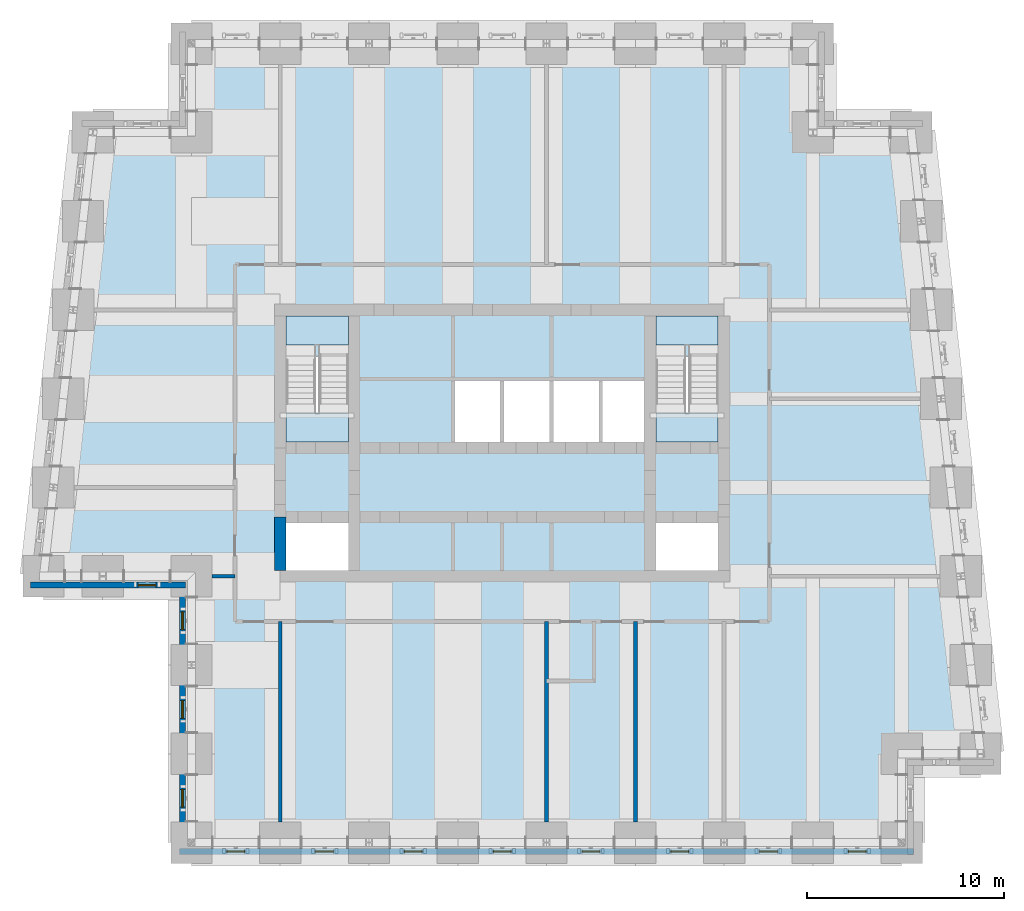
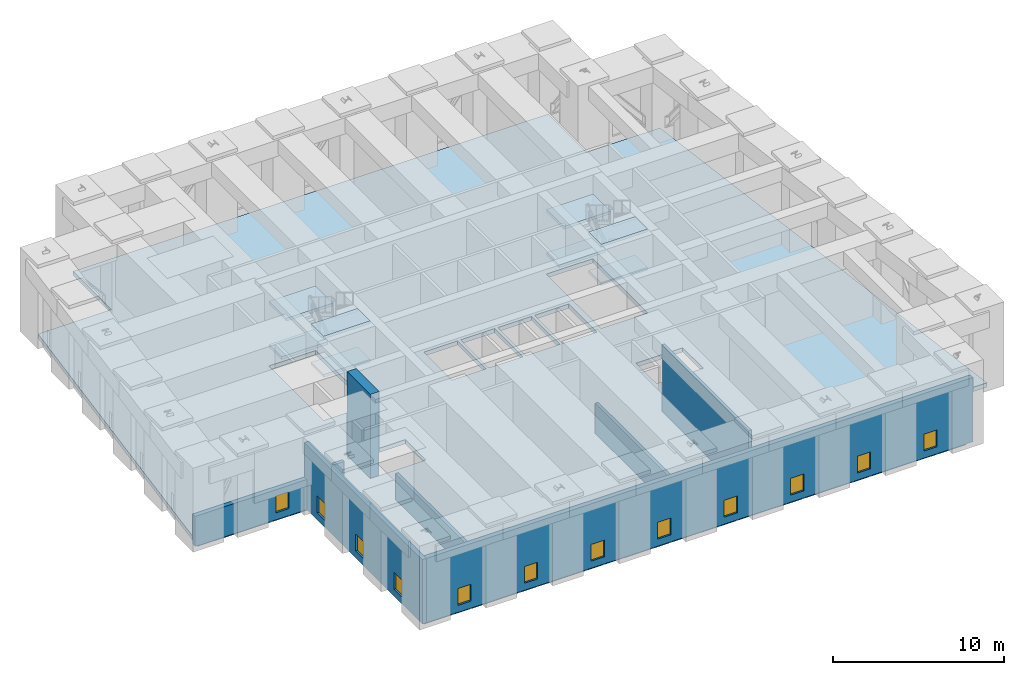
# One storey, part 2 of 17: 12 windows, 9 slabs, 8 walls, 12 openings, 2 elements without a shape of their own.
"""IFC4 building model written with IfcOpenShell, lengths in metres."""

from ifc_helpers import new_model, si_unit, direction, frame, frame_2d, origin, place, context, subcontext, project, spatial, polyline, rectangle, outline, extrude, material, layer, layer_set, type_object, element, fill, aggregate, save


model = new_model("IFC4")

# Units and contexts
model_context = context("Model", 3, precision=1e-05, world=origin(), true_north=direction((0.0, 1.0)))
body_context = subcontext(model_context, "Body", "Model", "MODEL_VIEW")
ifc_project = project(units=[si_unit("LENGTHUNIT", "METRE"), si_unit("AREAUNIT", "SQUARE_METRE"), si_unit("VOLUMEUNIT", "CUBIC_METRE"), si_unit("PLANEANGLEUNIT", "RADIAN"), si_unit("MASSUNIT", "GRAM", prefix="KILO")], contexts=[model_context])

# Site, building, storey
site_placement = place(None, origin())
site = spatial("IfcSite", under=ifc_project, at=site_placement, CompositionType="ELEMENT")
building_placement = place(site_placement, origin())
building = spatial("IfcBuilding", under=site, at=building_placement, Name="Kilele Tower Hotel", CompositionType="ELEMENT")
storey_placement = place(building_placement, frame((0.0, 0.0, 211.39990234375)))
storey = spatial("IfcBuildingStorey", under=building, at=storey_placement, Name="L55", CompositionType="ELEMENT", Elevation=211.39990234375)

# Slab
ifc_material_1 = material(Name="Concrete C60/75", Category="concrete")
ifc_layer_1 = layer(ifc_material_1, 0.300048828125)
ifc_layer_set_1 = layer_set([ifc_layer_1], Name="Concrete C60/75")
slab_type_1 = type_object("IfcSlabType", Name="Floor slab 300", PredefinedType="FLOOR", material=ifc_layer_set_1)
slab_1_placement = place(storey_placement, frame((0.0, 0.0, -0.2998046875)))
element("IfcSlab", 1, at=slab_1_placement, inside=storey, type_object=slab_type_1, Name="Floor slab L55", PredefinedType="FLOOR", context=body_context, shape_type="SweptSolid", body=[
    extrude(outline(polyline([(8.699951171875, 36.300048828125), (8.699951171875, 40.800048828125), (40.800048828125, 40.800048828125), (40.800048828125, 36.300048828125), (45.7685546875, 36.300048828125), (49.335205078125, 4.199951171875), (45.300048828125, 4.199951171875), (45.300048828125, -0.300048828125), (8.699951171875, -0.300048828125), (8.699951171875, 13.199951171875), (1.164794921875, 13.199951171875), (3.7314453125, 36.300048828125), (8.699951171875, 36.300048828125)]), holes=[polyline([(16.949951171875, 16.199951171875), (13.800048828125, 16.199951171875), (13.800048828125, 13.800048828125), (16.949951171875, 13.800048828125), (16.949951171875, 16.199951171875)]), polyline([(35.699951171875, 16.199951171875), (32.550048828125, 16.199951171875), (32.550048828125, 13.800048828125), (35.699951171875, 13.800048828125), (35.699951171875, 16.199951171875)]), polyline([(24.64990234375, 23.39990234375), (22.35009765625, 23.39990234375), (22.35009765625, 20.10009765625), (24.64990234375, 20.10009765625), (24.64990234375, 23.39990234375)]), polyline([(27.14990234375, 23.39990234375), (24.85009765625, 23.39990234375), (24.85009765625, 20.10009765625), (27.14990234375, 20.10009765625), (27.14990234375, 23.39990234375)]), polyline([(29.64990234375, 23.39990234375), (27.35009765625, 23.39990234375), (27.35009765625, 20.10009765625), (29.64990234375, 20.10009765625), (29.64990234375, 23.39990234375)]), polyline([(32.14990234375, 23.39990234375), (29.85009765625, 23.39990234375), (29.85009765625, 20.10009765625), (32.14990234375, 20.10009765625), (32.14990234375, 23.39990234375)]), polyline([(16.949951171875, 26.699951171875), (13.800048828125, 26.699951171875), (13.800048828125, 20.300048828125), (16.949951171875, 20.300048828125), (16.949951171875, 26.699951171875)]), polyline([(35.699951171875, 26.699951171875), (32.550048828125, 26.699951171875), (32.550048828125, 20.300048828125), (35.699951171875, 20.300048828125), (35.699951171875, 26.699951171875)])]), origin(), (0.0, 0.0, 1.0), 0.2998046875),
])

# Stair, slabs
ifc_material_2 = material(Name="Precast concrete C40/50", Category="concrete")
stair_type = type_object("IfcStairType", Name="Stair 1475 x 6000", PredefinedType="HALF_TURN_STAIR", material=ifc_material_2)
stair_1_placement = place(storey_placement, origin())
stair_1 = element("IfcStair", 2, at=stair_1_placement, inside=storey, type_object=stair_type, Name="Stair 1 L55", PredefinedType="HALF_TURN_STAIR")
ifc_material_3 = material(Name="Precast concrete C40/50", Category="concrete")
ifc_layer_2 = layer(ifc_material_3, 0.199951171875)
ifc_layer_set_2 = layer_set([ifc_layer_2], Name="Precast concrete C40/50")
slab_type_2 = type_object("IfcSlabType", Name="Stair landing 200", PredefinedType="LANDING", material=ifc_layer_set_2)
slab_2_placement = place(storey_placement, frame((0.0, 0.0, 1.343017578125)))
slab_2 = element("IfcSlab", 3, at=slab_2_placement, type_object=slab_type_2, Name="ST1 landing 1", PredefinedType="LANDING", context=body_context, shape_type="SweptSolid", body=[
    extrude(outline(polyline([(13.800048828125, 25.22509765625), (16.949951171875, 25.22509765625), (16.949951171875, 26.699951171875), (13.800048828125, 26.699951171875), (13.800048828125, 25.22509765625)])), origin(), (0.0, 0.0, 1.0), 0.199951171875),
])
slab_3_placement = place(storey_placement, frame((0.0, 0.0, 3.05712890625)))
slab_3 = element("IfcSlab", 4, at=slab_3_placement, type_object=slab_type_2, Name="ST1 landing 2", PredefinedType="LANDING", context=body_context, shape_type="SweptSolid", body=[
    extrude(outline(polyline([(13.800048828125, 20.300048828125), (16.949951171875, 20.300048828125), (16.949951171875, 21.77490234375), (13.800048828125, 21.77490234375), (13.800048828125, 20.300048828125)])), origin(), (0.0, 0.0, 1.0), 0.199951171875),
])
slab_4_placement = place(storey_placement, frame((0.0, 0.0, 4.4287109375)))
slab_4 = element("IfcSlab", 5, at=slab_4_placement, type_object=slab_type_2, Name="ST1 landing 3", PredefinedType="LANDING", context=body_context, shape_type="SweptSolid", body=[
    extrude(outline(polyline([(13.800048828125, 24.6650390625), (16.949951171875, 24.6650390625), (16.949951171875, 26.699951171875), (13.800048828125, 26.699951171875), (13.800048828125, 24.6650390625)])), origin(), (0.0, 0.0, 1.0), 0.199951171875),
])
slab_5_placement = place(storey_placement, frame((0.0, 0.0, 5.800048828125)))
slab_5 = element("IfcSlab", 6, at=slab_5_placement, type_object=slab_type_2, Name="ST1 landing 4", PredefinedType="LANDING", context=body_context, shape_type="SweptSolid", body=[
    extrude(outline(polyline([(13.800048828125, 20.300048828125), (16.949951171875, 20.300048828125), (16.949951171875, 21.77490234375), (13.800048828125, 21.77490234375), (13.800048828125, 20.300048828125)])), origin(), (0.0, 0.0, 1.0), 0.199951171875),
])
aggregate(stair_1, [slab_2, slab_3, slab_4, slab_5])

stair_2_placement = place(storey_placement, origin())
stair_2 = element("IfcStair", 7, at=stair_2_placement, inside=storey, type_object=stair_type, Name="Stair 2 L55", PredefinedType="HALF_TURN_STAIR")
slab_6_placement = place(storey_placement, frame((0.0, 0.0, 1.343017578125)))
slab_6 = element("IfcSlab", 8, at=slab_6_placement, type_object=slab_type_2, Name="ST2 landing 1", PredefinedType="LANDING", context=body_context, shape_type="SweptSolid", body=[
    extrude(outline(polyline([(32.550048828125, 25.22509765625), (35.699951171875, 25.22509765625), (35.699951171875, 26.699951171875), (32.550048828125, 26.699951171875), (32.550048828125, 25.22509765625)])), origin(), (0.0, 0.0, 1.0), 0.199951171875),
])
slab_7_placement = place(storey_placement, frame((0.0, 0.0, 3.05712890625)))
slab_7 = element("IfcSlab", 9, at=slab_7_placement, type_object=slab_type_2, Name="ST2 landing 2", PredefinedType="LANDING", context=body_context, shape_type="SweptSolid", body=[
    extrude(outline(polyline([(32.550048828125, 20.300048828125), (35.699951171875, 20.300048828125), (35.699951171875, 21.77490234375), (32.550048828125, 21.77490234375), (32.550048828125, 20.300048828125)])), origin(), (0.0, 0.0, 1.0), 0.199951171875),
])
slab_8_placement = place(storey_placement, frame((0.0, 0.0, 4.4287109375)))
slab_8 = element("IfcSlab", 10, at=slab_8_placement, type_object=slab_type_2, Name="ST2 landing 3", PredefinedType="LANDING", context=body_context, shape_type="SweptSolid", body=[
    extrude(outline(polyline([(32.550048828125, 24.6650390625), (35.699951171875, 24.6650390625), (35.699951171875, 26.699951171875), (32.550048828125, 26.699951171875), (32.550048828125, 24.6650390625)])), origin(), (0.0, 0.0, 1.0), 0.199951171875),
])
slab_9_placement = place(storey_placement, frame((0.0, 0.0, 5.800048828125)))
slab_9 = element("IfcSlab", 11, at=slab_9_placement, type_object=slab_type_2, Name="ST2 landing 4", PredefinedType="LANDING", context=body_context, shape_type="SweptSolid", body=[
    extrude(outline(polyline([(32.550048828125, 20.300048828125), (35.699951171875, 20.300048828125), (35.699951171875, 21.77490234375), (32.550048828125, 21.77490234375), (32.550048828125, 20.300048828125)])), origin(), (0.0, 0.0, 1.0), 0.199951171875),
])
aggregate(stair_2, [slab_6, slab_7, slab_8, slab_9])

# Walls
ifc_material_4 = material(Name="Concrete C60/75", Category="concrete")
ifc_layer_3 = layer(ifc_material_4, 0.60009765625)
ifc_layer_set_3 = layer_set([ifc_layer_3], Name="Concrete C60/75")
wall_type_1 = type_object("IfcWallType", Name="Core wall 600 C60/75", PredefinedType="SHEAR", material=ifc_layer_set_3)
wall_1_placement = place(storey_placement, frame((13.5, 16.5, 0.0), z_axis=(0.0, 0.0, 1.0), x_axis=(0.0, -1.0, 0.0)))
element("IfcWall", 12, at=wall_1_placement, inside=storey, type_object=wall_type_1, Name="Core wall W3 L55", PredefinedType="SHEAR", context=body_context, shape_type="SweptSolid", body=[
    extrude(rectangle(XDim=2.699951171875, YDim=0.60009765625, at=frame_2d((1.35009765625, 0.0))), origin(), (0.0, 0.0, 1.0), 6.0),
])
ifc_material_5 = material(Name="Blockwork, plastered both sides", Category="masonry")
ifc_layer_4 = layer(ifc_material_5, 0.199951171875)
ifc_layer_set_4 = layer_set([ifc_layer_4], Name="Blockwork, plastered both sides")
wall_type_2 = type_object("IfcWallType", Name="Partition wall 200", PredefinedType="PARTITIONING", material=ifc_layer_set_4)
wall_2_placement = place(storey_placement, frame((13.5, 11.199951171875, 0.0), z_axis=(0.0, 0.0, 1.0), x_axis=(0.0, -1.0, 0.0)))
element("IfcWall", 13, at=wall_2_placement, inside=storey, type_object=wall_type_2, Name="Partition wall 200 L55", PredefinedType="PARTITIONING", context=body_context, shape_type="SweptSolid", body=[
    extrude(rectangle(XDim=10.14990234375, YDim=0.199951171875, at=frame_2d((5.074951171875, 0.0))), origin(), (0.0, 0.0, 1.0), 1.85009765625),
])
wall_3_placement = place(storey_placement, frame((27.0, 11.199951171875, 0.0), z_axis=(0.0, 0.0, 1.0), x_axis=(0.0, -1.0, 0.0)))
element("IfcWall", 14, at=wall_3_placement, inside=storey, type_object=wall_type_2, Name="Partition wall 200 L55", PredefinedType="PARTITIONING", context=body_context, shape_type="SweptSolid", body=[
    extrude(rectangle(XDim=10.14990234375, YDim=0.199951171875, at=frame_2d((5.074951171875, 0.0))), origin(), (0.0, 0.0, 1.0), 2.150146484375),
])
wall_4_placement = place(storey_placement, frame((31.5, 11.199951171875, 0.0), z_axis=(0.0, 0.0, 1.0), x_axis=(0.0, -1.0, 0.0)))
element("IfcWall", 15, at=wall_4_placement, inside=storey, type_object=wall_type_2, Name="Partition wall 200 L55", PredefinedType="PARTITIONING", context=body_context, shape_type="SweptSolid", body=[
    extrude(rectangle(XDim=10.14990234375, YDim=0.199951171875, at=frame_2d((5.074951171875, 0.0))), origin(), (0.0, 0.0, 1.0), 4.75),
])
wall_5_placement = place(storey_placement, frame((11.199951171875, 13.5, 0.0), z_axis=(0.0, 0.0, 1.0), x_axis=(-1.0, 0.0, 0.0)))
element("IfcWall", 16, at=wall_5_placement, inside=storey, type_object=wall_type_2, Name="Partition wall 200 L55", PredefinedType="PARTITIONING", context=body_context, shape_type="SweptSolid", body=[
    extrude(rectangle(XDim=1.14990234375, YDim=0.199951171875, at=frame_2d((0.574951171875, 0.0))), origin(), (0.0, 0.0, 1.0), 2.150146484375),
])

# Wall, opening, window
ifc_material_6 = material(Name="Concrete C40/50 precast", Category="concrete")
ifc_layer_5 = layer(ifc_material_6, 0.260009765625, Name="Precast backing", Category="LoadBearing")
ifc_material_7 = material(Name="Reconstituted stone finish", Category="masonry")
ifc_layer_6 = layer(ifc_material_7, 0.0400390625, Name="Face mix", Category="Finish")
ifc_layer_set_5 = layer_set([ifc_layer_5, ifc_layer_6], Name="Precast concrete C40/50, reconstituted stone finish")
wall_type_3 = type_object("IfcWallType", Name="Precast stone facade wall 300", PredefinedType="STANDARD", material=ifc_layer_set_5)
wall_6_placement = place(storey_placement, frame((0.84716796875, 13.050048828125, 0.0), z_axis=(0.0, 0.0, 1.0), x_axis=(1.0, 0.0, 0.0)))
wall_6 = element("IfcWall", 17, at=wall_6_placement, inside=storey, type_object=wall_type_3, Name="Facade wall L55 edge 1", PredefinedType="STANDARD", context=body_context, shape_type="SweptSolid", body=[
    extrude(rectangle(XDim=7.852783203125, YDim=0.300048828125, at=frame_2d((3.92626953125, 0.0))), origin(), (0.0, 0.0, 1.0), 2.150146484375),
])
opening_1_placement = place(wall_6_placement, frame((5.452880859375, 0.0, 0.5)))
opening_1 = element("IfcOpeningElement", 18, at=opening_1_placement, cuts=wall_6, Name="Opening LV1", PredefinedType="OPENING", context=body_context, shape_type="SweptSolid", body=[
    extrude(rectangle(XDim=0.89990234375, YDim=1.199951171875, at=frame_2d((0.449951171875, 0.60009765625))), frame((0.0, 0.159912109375, 0.0), z_axis=(0.0, -1.0, 0.0), x_axis=(1.0, 0.0, 0.0)), (0.0, 0.0, 1.0), 0.320068359375),
])
ifc_material_8 = material(Name="Aluminium weather louvre with insect mesh", Category="aluminium")
window_type = type_object("IfcWindowType", Name="Ventilation louvre 900 x 1200", PartitioningType="SINGLE_PANEL", PredefinedType="USERDEFINED", material=ifc_material_8)
window_1_placement = place(opening_1_placement, origin())
window_1 = element("IfcWindow", 19, at=window_1_placement, inside=storey, type_object=window_type, Name="Louvre L55", ObjectType="LOUVRE", OverallHeight=1.199951171875, OverallWidth=0.89990234375, PartitioningType="SINGLE_PANEL", PredefinedType="USERDEFINED", context=body_context, shape_type="SweptSolid", body=[
    extrude(rectangle(XDim=0.89990234375, YDim=1.199951171875, at=frame_2d((0.449951171875, 0.60009765625))), frame((0.0, 0.030029296875, 0.0), z_axis=(0.0, -1.0, 0.0), x_axis=(1.0, 0.0, 0.0)), (0.0, 0.0, 1.0), 0.06005859375),
])
fill(opening_1, window_1)

# Wall, openings, windows
wall_7_placement = place(storey_placement, frame((8.550048828125, 13.199951171875, 0.0), z_axis=(0.0, 0.0, 1.0), x_axis=(0.0, -1.0, 0.0)))
wall_7 = element("IfcWall", 20, at=wall_7_placement, inside=storey, type_object=wall_type_3, Name="Facade wall L55 edge 2", PredefinedType="STANDARD", context=body_context, shape_type="SweptSolid", body=[
    extrude(rectangle(XDim=13.800048828125, YDim=0.300048828125, at=frame_2d((6.89990234375, 0.0))), origin(), (0.0, 0.0, 1.0), 4.60009765625),
])
opening_2_placement = place(wall_7_placement, frame((1.5, 0.0, 0.5)))
opening_2 = element("IfcOpeningElement", 21, at=opening_2_placement, cuts=wall_7, Name="Opening LV1", PredefinedType="OPENING", context=body_context, shape_type="SweptSolid", body=[
    extrude(rectangle(XDim=0.89990234375, YDim=1.199951171875, at=frame_2d((0.449951171875, 0.60009765625))), frame((0.0, 0.159912109375, 0.0), z_axis=(0.0, -1.0, 0.0), x_axis=(1.0, 0.0, 0.0)), (0.0, 0.0, 1.0), 0.320068359375),
])
opening_3_placement = place(wall_7_placement, frame((6.0, 0.0, 0.5)))
opening_3 = element("IfcOpeningElement", 22, at=opening_3_placement, cuts=wall_7, Name="Opening LV1", PredefinedType="OPENING", context=body_context, shape_type="SweptSolid", body=[
    extrude(rectangle(XDim=0.89990234375, YDim=1.199951171875, at=frame_2d((0.449951171875, 0.60009765625))), frame((0.0, 0.159912109375, 0.0), z_axis=(0.0, -1.0, 0.0), x_axis=(1.0, 0.0, 0.0)), (0.0, 0.0, 1.0), 0.320068359375),
])
opening_4_placement = place(wall_7_placement, frame((10.5, 0.0, 0.5)))
opening_4 = element("IfcOpeningElement", 23, at=opening_4_placement, cuts=wall_7, Name="Opening LV1", PredefinedType="OPENING", context=body_context, shape_type="SweptSolid", body=[
    extrude(rectangle(XDim=0.89990234375, YDim=1.199951171875, at=frame_2d((0.449951171875, 0.60009765625))), frame((0.0, 0.159912109375, 0.0), z_axis=(0.0, -1.0, 0.0), x_axis=(1.0, 0.0, 0.0)), (0.0, 0.0, 1.0), 0.320068359375),
])
window_2_placement = place(opening_2_placement, origin())
window_2 = element("IfcWindow", 24, at=window_2_placement, inside=storey, type_object=window_type, Name="Louvre L55", ObjectType="LOUVRE", OverallHeight=1.199951171875, OverallWidth=0.89990234375, PartitioningType="SINGLE_PANEL", PredefinedType="USERDEFINED", context=body_context, shape_type="SweptSolid", body=[
    extrude(rectangle(XDim=0.89990234375, YDim=1.199951171875, at=frame_2d((0.449951171875, 0.60009765625))), frame((0.0, 0.030029296875, 0.0), z_axis=(0.0, -1.0, 0.0), x_axis=(1.0, 0.0, 0.0)), (0.0, 0.0, 1.0), 0.06005859375),
])
fill(opening_2, window_2)
window_3_placement = place(opening_3_placement, origin())
window_3 = element("IfcWindow", 25, at=window_3_placement, inside=storey, type_object=window_type, Name="Louvre L55", ObjectType="LOUVRE", OverallHeight=1.199951171875, OverallWidth=0.89990234375, PartitioningType="SINGLE_PANEL", PredefinedType="USERDEFINED", context=body_context, shape_type="SweptSolid", body=[
    extrude(rectangle(XDim=0.89990234375, YDim=1.199951171875, at=frame_2d((0.449951171875, 0.60009765625))), frame((0.0, 0.030029296875, 0.0), z_axis=(0.0, -1.0, 0.0), x_axis=(1.0, 0.0, 0.0)), (0.0, 0.0, 1.0), 0.06005859375),
])
fill(opening_3, window_3)
window_4_placement = place(opening_4_placement, origin())
window_4 = element("IfcWindow", 26, at=window_4_placement, inside=storey, type_object=window_type, Name="Louvre L55", ObjectType="LOUVRE", OverallHeight=1.199951171875, OverallWidth=0.89990234375, PartitioningType="SINGLE_PANEL", PredefinedType="USERDEFINED", context=body_context, shape_type="SweptSolid", body=[
    extrude(rectangle(XDim=0.89990234375, YDim=1.199951171875, at=frame_2d((0.449951171875, 0.60009765625))), frame((0.0, 0.030029296875, 0.0), z_axis=(0.0, -1.0, 0.0), x_axis=(1.0, 0.0, 0.0)), (0.0, 0.0, 1.0), 0.06005859375),
])
fill(opening_4, window_4)

wall_8_placement = place(storey_placement, frame((8.39990234375, -0.449951171875, 0.0), z_axis=(0.0, 0.0, 1.0), x_axis=(1.0, 0.0, 0.0)))
wall_8 = element("IfcWall", 27, at=wall_8_placement, inside=storey, type_object=wall_type_3, Name="Facade wall L55 edge 3", PredefinedType="STANDARD", context=body_context, shape_type="SweptSolid", body=[
    extrude(rectangle(XDim=37.2001953125, YDim=0.300048828125, at=frame_2d((18.60009765625, 0.0))), origin(), (0.0, 0.0, 1.0), 4.60009765625),
])
opening_5_placement = place(wall_8_placement, frame((2.39990234375, 0.0, 0.5)))
opening_5 = element("IfcOpeningElement", 28, at=opening_5_placement, cuts=wall_8, Name="Opening LV1", PredefinedType="OPENING", context=body_context, shape_type="SweptSolid", body=[
    extrude(rectangle(XDim=0.89990234375, YDim=1.199951171875, at=frame_2d((0.449951171875, 0.60009765625))), frame((0.0, 0.159912109375, 0.0), z_axis=(0.0, -1.0, 0.0), x_axis=(1.0, 0.0, 0.0)), (0.0, 0.0, 1.0), 0.320068359375),
])
opening_6_placement = place(wall_8_placement, frame((6.89990234375, 0.0, 0.5)))
opening_6 = element("IfcOpeningElement", 29, at=opening_6_placement, cuts=wall_8, Name="Opening LV1", PredefinedType="OPENING", context=body_context, shape_type="SweptSolid", body=[
    extrude(rectangle(XDim=0.89990234375, YDim=1.199951171875, at=frame_2d((0.449951171875, 0.60009765625))), frame((0.0, 0.159912109375, 0.0), z_axis=(0.0, -1.0, 0.0), x_axis=(1.0, 0.0, 0.0)), (0.0, 0.0, 1.0), 0.320068359375),
])
opening_7_placement = place(wall_8_placement, frame((11.39990234375, 0.0, 0.5)))
opening_7 = element("IfcOpeningElement", 30, at=opening_7_placement, cuts=wall_8, Name="Opening LV1", PredefinedType="OPENING", context=body_context, shape_type="SweptSolid", body=[
    extrude(rectangle(XDim=0.89990234375, YDim=1.199951171875, at=frame_2d((0.449951171875, 0.60009765625))), frame((0.0, 0.159912109375, 0.0), z_axis=(0.0, -1.0, 0.0), x_axis=(1.0, 0.0, 0.0)), (0.0, 0.0, 1.0), 0.320068359375),
])
opening_8_placement = place(wall_8_placement, frame((15.89990234375, 0.0, 0.5)))
opening_8 = element("IfcOpeningElement", 31, at=opening_8_placement, cuts=wall_8, Name="Opening LV1", PredefinedType="OPENING", context=body_context, shape_type="SweptSolid", body=[
    extrude(rectangle(XDim=0.89990234375, YDim=1.199951171875, at=frame_2d((0.449951171875, 0.60009765625))), frame((0.0, 0.159912109375, 0.0), z_axis=(0.0, -1.0, 0.0), x_axis=(1.0, 0.0, 0.0)), (0.0, 0.0, 1.0), 0.320068359375),
])
opening_9_placement = place(wall_8_placement, frame((20.39990234375, 0.0, 0.5)))
opening_9 = element("IfcOpeningElement", 32, at=opening_9_placement, cuts=wall_8, Name="Opening LV1", PredefinedType="OPENING", context=body_context, shape_type="SweptSolid", body=[
    extrude(rectangle(XDim=0.89990234375, YDim=1.199951171875, at=frame_2d((0.449951171875, 0.60009765625))), frame((0.0, 0.159912109375, 0.0), z_axis=(0.0, -1.0, 0.0), x_axis=(1.0, 0.0, 0.0)), (0.0, 0.0, 1.0), 0.320068359375),
])
opening_10_placement = place(wall_8_placement, frame((24.89990234375, 0.0, 0.5)))
opening_10 = element("IfcOpeningElement", 33, at=opening_10_placement, cuts=wall_8, Name="Opening LV1", PredefinedType="OPENING", context=body_context, shape_type="SweptSolid", body=[
    extrude(rectangle(XDim=0.89990234375, YDim=1.199951171875, at=frame_2d((0.449951171875, 0.60009765625))), frame((0.0, 0.159912109375, 0.0), z_axis=(0.0, -1.0, 0.0), x_axis=(1.0, 0.0, 0.0)), (0.0, 0.0, 1.0), 0.320068359375),
])
opening_11_placement = place(wall_8_placement, frame((29.39990234375, 0.0, 0.5)))
opening_11 = element("IfcOpeningElement", 34, at=opening_11_placement, cuts=wall_8, Name="Opening LV1", PredefinedType="OPENING", context=body_context, shape_type="SweptSolid", body=[
    extrude(rectangle(XDim=0.89990234375, YDim=1.199951171875, at=frame_2d((0.449951171875, 0.60009765625))), frame((0.0, 0.159912109375, 0.0), z_axis=(0.0, -1.0, 0.0), x_axis=(1.0, 0.0, 0.0)), (0.0, 0.0, 1.0), 0.320068359375),
])
opening_12_placement = place(wall_8_placement, frame((33.89990234375, 0.0, 0.5)))
opening_12 = element("IfcOpeningElement", 35, at=opening_12_placement, cuts=wall_8, Name="Opening LV1", PredefinedType="OPENING", context=body_context, shape_type="SweptSolid", body=[
    extrude(rectangle(XDim=0.89990234375, YDim=1.199951171875, at=frame_2d((0.449951171875, 0.60009765625))), frame((0.0, 0.159912109375, 0.0), z_axis=(0.0, -1.0, 0.0), x_axis=(1.0, 0.0, 0.0)), (0.0, 0.0, 1.0), 0.320068359375),
])
window_5_placement = place(opening_5_placement, origin())
window_5 = element("IfcWindow", 36, at=window_5_placement, inside=storey, type_object=window_type, Name="Louvre L55", ObjectType="LOUVRE", OverallHeight=1.199951171875, OverallWidth=0.89990234375, PartitioningType="SINGLE_PANEL", PredefinedType="USERDEFINED", context=body_context, shape_type="SweptSolid", body=[
    extrude(rectangle(XDim=0.89990234375, YDim=1.199951171875, at=frame_2d((0.449951171875, 0.60009765625))), frame((0.0, 0.030029296875, 0.0), z_axis=(0.0, -1.0, 0.0), x_axis=(1.0, 0.0, 0.0)), (0.0, 0.0, 1.0), 0.06005859375),
])
fill(opening_5, window_5)
window_6_placement = place(opening_6_placement, origin())
window_6 = element("IfcWindow", 37, at=window_6_placement, inside=storey, type_object=window_type, Name="Louvre L55", ObjectType="LOUVRE", OverallHeight=1.199951171875, OverallWidth=0.89990234375, PartitioningType="SINGLE_PANEL", PredefinedType="USERDEFINED", context=body_context, shape_type="SweptSolid", body=[
    extrude(rectangle(XDim=0.89990234375, YDim=1.199951171875, at=frame_2d((0.449951171875, 0.60009765625))), frame((0.0, 0.030029296875, 0.0), z_axis=(0.0, -1.0, 0.0), x_axis=(1.0, 0.0, 0.0)), (0.0, 0.0, 1.0), 0.06005859375),
])
fill(opening_6, window_6)
window_7_placement = place(opening_7_placement, origin())
window_7 = element("IfcWindow", 38, at=window_7_placement, inside=storey, type_object=window_type, Name="Louvre L55", ObjectType="LOUVRE", OverallHeight=1.199951171875, OverallWidth=0.89990234375, PartitioningType="SINGLE_PANEL", PredefinedType="USERDEFINED", context=body_context, shape_type="SweptSolid", body=[
    extrude(rectangle(XDim=0.89990234375, YDim=1.199951171875, at=frame_2d((0.449951171875, 0.60009765625))), frame((0.0, 0.030029296875, 0.0), z_axis=(0.0, -1.0, 0.0), x_axis=(1.0, 0.0, 0.0)), (0.0, 0.0, 1.0), 0.06005859375),
])
fill(opening_7, window_7)
window_8_placement = place(opening_8_placement, origin())
window_8 = element("IfcWindow", 39, at=window_8_placement, inside=storey, type_object=window_type, Name="Louvre L55", ObjectType="LOUVRE", OverallHeight=1.199951171875, OverallWidth=0.89990234375, PartitioningType="SINGLE_PANEL", PredefinedType="USERDEFINED", context=body_context, shape_type="SweptSolid", body=[
    extrude(rectangle(XDim=0.89990234375, YDim=1.199951171875, at=frame_2d((0.449951171875, 0.60009765625))), frame((0.0, 0.030029296875, 0.0), z_axis=(0.0, -1.0, 0.0), x_axis=(1.0, 0.0, 0.0)), (0.0, 0.0, 1.0), 0.06005859375),
])
fill(opening_8, window_8)
window_9_placement = place(opening_9_placement, origin())
window_9 = element("IfcWindow", 40, at=window_9_placement, inside=storey, type_object=window_type, Name="Louvre L55", ObjectType="LOUVRE", OverallHeight=1.199951171875, OverallWidth=0.89990234375, PartitioningType="SINGLE_PANEL", PredefinedType="USERDEFINED", context=body_context, shape_type="SweptSolid", body=[
    extrude(rectangle(XDim=0.89990234375, YDim=1.199951171875, at=frame_2d((0.449951171875, 0.60009765625))), frame((0.0, 0.030029296875, 0.0), z_axis=(0.0, -1.0, 0.0), x_axis=(1.0, 0.0, 0.0)), (0.0, 0.0, 1.0), 0.06005859375),
])
fill(opening_9, window_9)
window_10_placement = place(opening_10_placement, origin())
window_10 = element("IfcWindow", 41, at=window_10_placement, inside=storey, type_object=window_type, Name="Louvre L55", ObjectType="LOUVRE", OverallHeight=1.199951171875, OverallWidth=0.89990234375, PartitioningType="SINGLE_PANEL", PredefinedType="USERDEFINED", context=body_context, shape_type="SweptSolid", body=[
    extrude(rectangle(XDim=0.89990234375, YDim=1.199951171875, at=frame_2d((0.449951171875, 0.60009765625))), frame((0.0, 0.030029296875, 0.0), z_axis=(0.0, -1.0, 0.0), x_axis=(1.0, 0.0, 0.0)), (0.0, 0.0, 1.0), 0.06005859375),
])
fill(opening_10, window_10)
window_11_placement = place(opening_11_placement, origin())
window_11 = element("IfcWindow", 42, at=window_11_placement, inside=storey, type_object=window_type, Name="Louvre L55", ObjectType="LOUVRE", OverallHeight=1.199951171875, OverallWidth=0.89990234375, PartitioningType="SINGLE_PANEL", PredefinedType="USERDEFINED", context=body_context, shape_type="SweptSolid", body=[
    extrude(rectangle(XDim=0.89990234375, YDim=1.199951171875, at=frame_2d((0.449951171875, 0.60009765625))), frame((0.0, 0.030029296875, 0.0), z_axis=(0.0, -1.0, 0.0), x_axis=(1.0, 0.0, 0.0)), (0.0, 0.0, 1.0), 0.06005859375),
])
fill(opening_11, window_11)
window_12_placement = place(opening_12_placement, origin())
window_12 = element("IfcWindow", 43, at=window_12_placement, inside=storey, type_object=window_type, Name="Louvre L55", ObjectType="LOUVRE", OverallHeight=1.199951171875, OverallWidth=0.89990234375, PartitioningType="SINGLE_PANEL", PredefinedType="USERDEFINED", context=body_context, shape_type="SweptSolid", body=[
    extrude(rectangle(XDim=0.89990234375, YDim=1.199951171875, at=frame_2d((0.449951171875, 0.60009765625))), frame((0.0, 0.030029296875, 0.0), z_axis=(0.0, -1.0, 0.0), x_axis=(1.0, 0.0, 0.0)), (0.0, 0.0, 1.0), 0.06005859375),
])
fill(opening_12, window_12)

save(model, "model.ifc")
